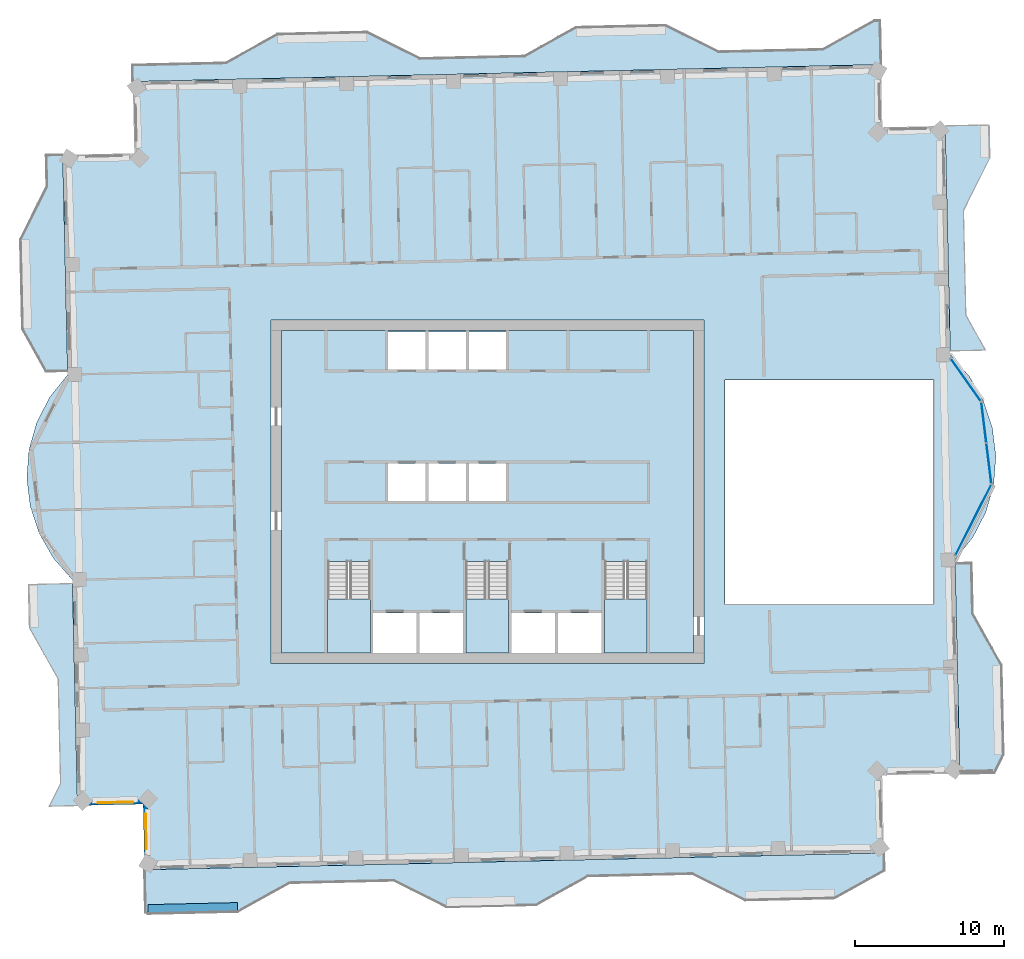
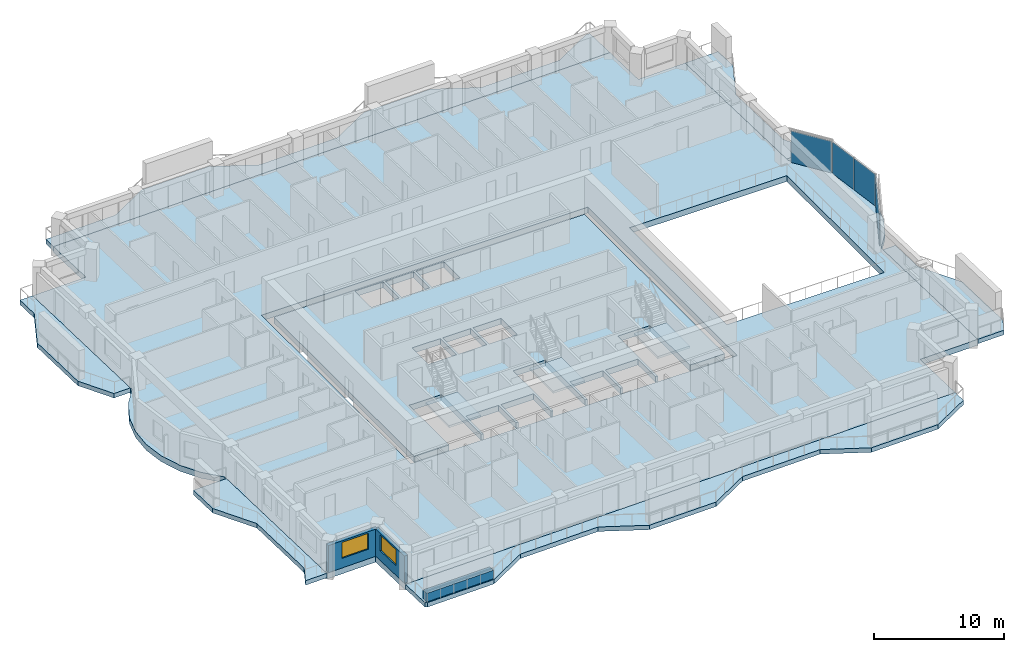
# One storey, part 7 of 19: 11 slabs, 4 plates, 3 walls, 2 windows, 2 openings, 6 elements without a shape of their own.
"""IFC4 building model written with IfcOpenShell, lengths in metres."""

import ifcopenshell
import ifcopenshell.guid

model = None  # the IFC model being written
_history = None  # IfcOwnerHistory: only IFC2X3 demands one
_inside = {}  # id of a spatial element -> (the spatial element, [elements in it])
_under = {}  # id of a project, library or spatial element -> (it, [spatial elements below it])
_declared = {}  # id of a project -> (the project, [libraries it declares])
_typed = {}  # id of a type object -> (the type object, [elements of that type])
_made_of = {}  # id of a material, layer set ... -> (it, [elements and type objects made of it])


def new_model(schema):
    """Start an empty IFC model of exactly this schema.

    Asked for "IFC4X3", IfcOpenShell would pick the latest addendum, in which some entities
    have other attributes; the version numbers below select the first issue.
    IFC2X3 requires an IfcOwnerHistory on every rooted entity: one is made here for all.
    """
    global model, _history
    if schema == "IFC4X3":
        model = ifcopenshell.file(schema_version=(4, 3, 0, 0))
    else:
        model = ifcopenshell.file(schema=schema)
    _inside.clear()
    _under.clear()
    _declared.clear()
    _typed.clear()
    _made_of.clear()
    _history = None
    if model.schema == "IFC2X3":
        org = make("IfcOrganization", Name="unknown")
        user = make(
            "IfcPersonAndOrganization",
            ThePerson=make("IfcPerson", FamilyName="unknown"),
            TheOrganization=org,
        )
        app = make(
            "IfcApplication",
            ApplicationDeveloper=org,
            Version="unknown",
            ApplicationFullName="unknown",
            ApplicationIdentifier="unknown",
        )
        _history = make(
            "IfcOwnerHistory",
            OwningUser=user,
            OwningApplication=app,
            ChangeAction="ADDED",
            CreationDate=0,
        )
    return model


def make(cls, **values):
    """One entity of the class cls with the attributes given. An attribute that is None is left unset."""
    return model.create_entity(
        cls, **{name: value for name, value in values.items() if value is not None}
    )


def rooted(cls, **values):
    """An entity with a GlobalId (a new one), such as an element, a storey or a relation."""
    return make(cls, GlobalId=ifcopenshell.guid.new(), OwnerHistory=_history, **values)


def si_unit(unit_type, name, prefix=None):
    """IfcSIUnit, for example si_unit("LENGTHUNIT", "METRE", prefix="MILLI")."""
    return make("IfcSIUnit", UnitType=unit_type, Prefix=prefix, Name=name)


def assignment(units):
    """IfcUnitAssignment: the units of a project."""
    return None if units is None else make("IfcUnitAssignment", Units=units)


def point(xyz):
    """IfcCartesianPoint."""
    return None if xyz is None else make("IfcCartesianPoint", Coordinates=xyz)


def direction(xyz):
    """IfcDirection."""
    return None if xyz is None else make("IfcDirection", DirectionRatios=xyz)


def frame(location, z_axis=None, x_axis=None):
    """IfcAxis2Placement3D, a coordinate frame: its origin and axes. An axis left out is left unset."""
    return make(
        "IfcAxis2Placement3D",
        Location=point(location),
        Axis=direction(z_axis),
        RefDirection=direction(x_axis),
    )


def frame_2d(location, x_axis=None):
    """IfcAxis2Placement2D, a coordinate frame in the plane: its origin and x axis."""
    return make(
        "IfcAxis2Placement2D", Location=point(location), RefDirection=direction(x_axis)
    )


def origin():
    """The frame at (0, 0, 0) with its axes left unset."""
    return frame((0.0, 0.0, 0.0))


def origin_2d():
    """The frame at (0, 0) in the plane with its x axis left unset."""
    return frame_2d((0.0, 0.0))


def place(relative_to, where):
    """IfcLocalPlacement: puts the frame where relative to a parent placement (None: the world)."""
    return make(
        "IfcLocalPlacement", PlacementRelTo=relative_to, RelativePlacement=where
    )


def context(
    kind, dimensions, precision=None, world=None, true_north=None, identifier=None
):
    """IfcGeometricRepresentationContext, for example the 3D "Model" context."""
    return make(
        "IfcGeometricRepresentationContext",
        ContextIdentifier=identifier,
        ContextType=kind,
        CoordinateSpaceDimension=dimensions,
        Precision=precision,
        WorldCoordinateSystem=world,
        TrueNorth=true_north,
    )


def subcontext(parent, identifier, kind, view, scale=None):
    """IfcGeometricRepresentationSubContext, for example "Body" below "Model"."""
    return make(
        "IfcGeometricRepresentationSubContext",
        ContextIdentifier=identifier,
        ContextType=kind,
        ParentContext=parent,
        TargetScale=scale,
        TargetView=view,
    )


def project(units=None, contexts=None):
    """IfcProject with its units and contexts."""
    return rooted(
        "IfcProject",
        Name="project",
        RepresentationContexts=contexts,
        UnitsInContext=assignment(units),
    )


def spatial(cls, under=None, at=None, **own):
    """A site, building, storey or space (cls), placed at a placement, below another one or the project."""
    s = rooted(cls, ObjectPlacement=at, **own)
    if under is not None:
        _under.setdefault(under.id(), (under, []))[1].append(s)
    return s


def polyline(points):
    """IfcPolyline through the points."""
    return make("IfcPolyline", Points=[point(p) for p in points])


def profile(cls, at=None, kind="AREA", **sizes):
    """A parametric profile (cls). Its sizes go by their IFC names, for example OverallWidth=200.0."""
    return make(cls, ProfileType=kind, Position=at, **sizes)


def rectangle(**sizes):
    """IfcRectangleProfileDef."""
    return profile("IfcRectangleProfileDef", **sizes)


def outline(outer, holes=None, kind="AREA"):
    """IfcArbitraryClosedProfileDef: a profile drawn as a closed curve; with holes, ...WithVoids."""
    if holes is None:
        return make("IfcArbitraryClosedProfileDef", ProfileType=kind, OuterCurve=outer)
    return make(
        "IfcArbitraryProfileDefWithVoids",
        ProfileType=kind,
        OuterCurve=outer,
        InnerCurves=holes,
    )


def extrude(swept, where, along, depth):
    """IfcExtrudedAreaSolid: the profile swept, set in the frame where, extruded along a direction by depth."""
    return make(
        "IfcExtrudedAreaSolid",
        SweptArea=swept,
        Position=where,
        ExtrudedDirection=direction(along),
        Depth=depth,
    )


def shape(context_of_items, identifier, shape_type, items):
    """IfcShapeRepresentation: the items that make up one representation, for example the "Body"."""
    return make(
        "IfcShapeRepresentation",
        ContextOfItems=context_of_items,
        RepresentationIdentifier=identifier,
        RepresentationType=shape_type,
        Items=items,
    )


def material(Name=None, Category=None):
    """IfcMaterial."""
    return make("IfcMaterial", Name=Name, Category=Category)


def layer(
    of_material, thickness, ventilated=None, Name=None, Category=None, Priority=None
):
    """IfcMaterialLayer: one layer of a wall or slab, of a material (None: an air gap)."""
    return make(
        "IfcMaterialLayer",
        Material=of_material,
        LayerThickness=thickness,
        IsVentilated=ventilated,
        Name=Name,
        Category=Category,
        Priority=Priority,
    )


def layer_set(layers, Name=None):
    """IfcMaterialLayerSet."""
    return make("IfcMaterialLayerSet", MaterialLayers=layers, LayerSetName=Name)


def made_of(thing, what):
    """Note that an element or type object is made of a material, layer set ...; save() writes the relation."""
    if what is not None:
        _made_of.setdefault(what.id(), (what, []))[1].append(thing)
    return thing


def type_object(cls, material=None, **own):
    """A type object (cls), such as IfcWallType, which elements share."""
    return made_of(rooted(cls, **own), material)


def element(
    cls,
    number,
    at=None,
    inside=None,
    cuts=None,
    type_object=None,
    material=None,
    context=None,
    identifier="Body",
    shape_type=None,
    held_by="IfcProductDefinitionShape",
    body=None,
    shapes=None,
    **own,
):
    """One element of the class cls, such as IfcWall. Its Tag is "e" and its number.

    at: its placement. inside: the storey or other place that contains it. cuts: it is an
    opening in that element (IfcRelVoidsElement). A single representation is given by context,
    identifier, shape_type and body (its items); several are given by shapes. held_by: the class
    of the entity that holds the representations. save() writes the other relations.
    """
    e = rooted(cls, Tag="e%d" % number, ObjectPlacement=at, **own)
    if body is not None:
        shapes = [shape(context, identifier, shape_type, body)]
    if shapes is not None:
        e.Representation = make(held_by, Representations=shapes)
    if inside is not None:
        _inside.setdefault(inside.id(), (inside, []))[1].append(e)
    if cuts is not None:
        rooted(
            "IfcRelVoidsElement", RelatingBuildingElement=cuts, RelatedOpeningElement=e
        )
    if type_object is not None:
        _typed.setdefault(type_object.id(), (type_object, []))[1].append(e)
    return made_of(e, material)


def fill(opening, filler):
    """IfcRelFillsElement: the door or window that sits in an opening."""
    return rooted(
        "IfcRelFillsElement",
        RelatingOpeningElement=opening,
        RelatedBuildingElement=filler,
    )


def aggregate(whole, parts):
    """IfcRelAggregates: a whole, such as a stair, and the parts it consists of."""
    return rooted("IfcRelAggregates", RelatingObject=whole, RelatedObjects=parts)


def save(model, path):
    """Write the relations noted so far, then the file.

    IfcRelAggregates (storeys below a building ...), IfcRelContainedInSpatialStructure (elements
    in a storey), IfcRelDefinesByType, IfcRelAssociatesMaterial and IfcRelDeclares: one each for
    every whole, place, type object, material and project.
    """
    for whole, parts in _under.values():
        aggregate(whole, parts)
    for where, things in _inside.values():
        rooted(
            "IfcRelContainedInSpatialStructure",
            RelatedElements=things,
            RelatingStructure=where,
        )
    for kind, things in _typed.values():
        rooted("IfcRelDefinesByType", RelatedObjects=things, RelatingType=kind)
    for what, things in _made_of.values():
        rooted("IfcRelAssociatesMaterial", RelatedObjects=things, RelatingMaterial=what)
    for by, libraries in _declared.values():
        rooted("IfcRelDeclares", RelatingContext=by, RelatedDefinitions=libraries)
    model.write(path)


model = new_model("IFC4")

# Units and contexts
model_context = context("Model", 3, precision=1e-05, world=origin(), true_north=direction((0.0, 1.0)))
body_context = subcontext(model_context, "Body", "Model", "MODEL_VIEW")
ifc_project = project(units=[si_unit("LENGTHUNIT", "METRE"), si_unit("AREAUNIT", "SQUARE_METRE"), si_unit("VOLUMEUNIT", "CUBIC_METRE"), si_unit("PLANEANGLEUNIT", "RADIAN"), si_unit("MASSUNIT", "GRAM", prefix="KILO")], contexts=[model_context])

# Site, building, storey
site_placement = place(None, origin())
site = spatial("IfcSite", under=ifc_project, at=site_placement, CompositionType="ELEMENT")
building_placement = place(site_placement, origin())
building = spatial("IfcBuilding", under=site, at=building_placement, Name="Mangrove Gate Tower", CompositionType="ELEMENT")
storey_placement = place(building_placement, frame((0.0, 0.0, 297.89990234375)))
storey = spatial("IfcBuildingStorey", under=building, at=storey_placement, Name="L76", CompositionType="ELEMENT", Elevation=297.89990234375)

# Curtain wall, plate
ifc_material_1 = material(Name="Aluminium and glass curtain wall", Category="aluminium")
curtain_wall_type = type_object("IfcCurtainWallType", Name="Atrium garden-court glazing wall", PredefinedType="NOTDEFINED", material=ifc_material_1)
curtain_wall_1_placement = place(storey_placement, origin())
curtain_wall_1 = element("IfcCurtainWall", 1, at=curtain_wall_1_placement, inside=storey, type_object=curtain_wall_type, Name="Atrium garden-court glazing E1f1", PredefinedType="NOTDEFINED")
ifc_material_2 = material(Name="Laminated low-e glass", Category="glass")
ifc_layer_1 = layer(ifc_material_2, 0.031982421875)
ifc_layer_set_1 = layer_set([ifc_layer_1], Name="Atrium garden-court glazing panel 32")
plate_type = type_object("IfcPlateType", Name="Atrium garden-court glazing panel 32", PredefinedType="CURTAIN_PANEL", material=ifc_layer_set_1)
plate_1_placement = place(storey_placement, frame((32.542236328125, -1.90087890625, 0.0), z_axis=(0.0, 0.0, 1.0), x_axis=(0.452617386511, 0.891704828644, 0.0)))
plate_1 = element("IfcPlate", 2, at=plate_1_placement, type_object=plate_type, Name="CWA panel 1.1", PredefinedType="CURTAIN_PANEL", context=body_context, shape_type="SweptSolid", body=[
    extrude(rectangle(XDim=5.258544921875, YDim=0.031982421875, at=origin_2d()), origin(), (0.0, 0.0, 1.0), 2.97998046875),
])
aggregate(curtain_wall_1, [plate_1])

# Curtain wall, plates
curtain_wall_2_placement = place(storey_placement, origin())
curtain_wall_2 = element("IfcCurtainWall", 3, at=curtain_wall_2_placement, inside=storey, type_object=curtain_wall_type, Name="Atrium garden-court glazing E1f2", PredefinedType="NOTDEFINED")
plate_2_placement = place(storey_placement, frame((33.591552734375, 1.90625, 0.0), z_axis=(0.0, 0.0, 1.0), x_axis=(-0.122172285885, 0.992508908051, 0.0)))
plate_2 = element("IfcPlate", 4, at=plate_2_placement, type_object=plate_type, Name="CWA panel 1.1", PredefinedType="CURTAIN_PANEL", context=body_context, shape_type="SweptSolid", body=[
    extrude(rectangle(XDim=2.681640625, YDim=0.031982421875, at=origin_2d()), origin(), (0.0, 0.0, 1.0), 2.97998046875),
])
plate_3_placement = place(storey_placement, frame((33.25537109375, 4.637451171875, 0.0), z_axis=(0.0, 0.0, 1.0), x_axis=(-0.122172285885, 0.992508908051, 0.0)))
plate_3 = element("IfcPlate", 5, at=plate_3_placement, type_object=plate_type, Name="CWA panel 2.1", PredefinedType="CURTAIN_PANEL", context=body_context, shape_type="SweptSolid", body=[
    extrude(rectangle(XDim=2.681640625, YDim=0.031982421875, at=origin_2d()), origin(), (0.0, 0.0, 1.0), 2.97998046875),
])
aggregate(curtain_wall_2, [plate_2, plate_3])

# Curtain wall, plate
curtain_wall_3_placement = place(storey_placement, origin())
curtain_wall_3 = element("IfcCurtainWall", 6, at=curtain_wall_3_placement, inside=storey, type_object=curtain_wall_type, Name="Atrium garden-court glazing E1f3", PredefinedType="NOTDEFINED")
plate_4_placement = place(storey_placement, frame((32.05126953125, 7.493896484375, 0.0), z_axis=(0.0, 0.0, 1.0), x_axis=(-0.578135022674, 0.815941110349, 0.0)))
plate_4 = element("IfcPlate", 7, at=plate_4_placement, type_object=plate_type, Name="CWA panel 1.1", PredefinedType="CURTAIN_PANEL", context=body_context, shape_type="SweptSolid", body=[
    extrude(rectangle(XDim=3.42919921875, YDim=0.031982421875, at=origin_2d()), origin(), (0.0, 0.0, 1.0), 2.97998046875),
])
aggregate(curtain_wall_3, [plate_4])

# Slabs
ifc_material_3 = material(Name="Porcelain tile")
ifc_layer_2 = layer(ifc_material_3, 0.02001953125, Name="Tile finish")
ifc_material_4 = material(Name="Cement sand screed")
ifc_layer_3 = layer(ifc_material_4, 0.0400390625, Name="Screed laid to falls")
ifc_material_5 = material(Name="Bituminous waterproofing membrane")
ifc_layer_4 = layer(ifc_material_5, 0.00390625, Name="Waterproofing")
ifc_material_6 = material(Name="Concrete C40/50", Category="concrete")
ifc_layer_5 = layer(ifc_material_6, 0.340087890625, Name="Balcony structural slab")
ifc_material_7 = material(Name="Limestone", Category="masonry")
ifc_layer_6 = layer(ifc_material_7, 0.01611328125, Name="Soffit lining")
ifc_layer_set_2 = layer_set([ifc_layer_2, ifc_layer_3, ifc_layer_4, ifc_layer_5, ifc_layer_6], Name="Balcony slab 420 C40/50")
slab_type_1 = type_object("IfcSlabType", Name="Balcony slab 420 C40/50", PredefinedType="FLOOR", material=ifc_layer_set_2)
slab_1_placement = place(storey_placement, frame((0.0, 0.0, -0.419921875)))
element("IfcSlab", 8, at=slab_1_placement, inside=storey, type_object=slab_type_1, Name="BALCONY L76 E0", PredefinedType="FLOOR", context=body_context, shape_type="SweptSolid", body=[
    extrude(outline(polyline([(33.99609375, -18.820068359375), (34.60302734375, -17.60595703125), (34.467041015625, -11.60791015625), (32.5380859375, -8.15087890625), (32.4619140625, -4.777099609375), (31.322021484375, -4.802978515625), (31.39892578125, -8.176025390625), (31.47802734375, -11.676025390625), (31.614013671875, -17.674072265625), (31.64111328125, -18.8740234375), (33.99609375, -18.820068359375)])), origin(), (0.0, 0.0, 1.0), 0.419921875),
])
slab_2_placement = place(storey_placement, frame((0.0, 0.0, -0.419921875)))
element("IfcSlab", 9, at=slab_2_placement, inside=storey, type_object=slab_type_1, Name="BALCONY L76 E1", PredefinedType="FLOOR", context=body_context, shape_type="SweptSolid", body=[
    extrude(outline(polyline([(33.39306640625, 9.4990234375), (32.0849609375, 11.843994140625), (31.926025390625, 18.842041015625), (33.696044921875, 22.384033203125), (33.64599609375, 24.5830078125), (30.656982421875, 24.514892578125), (30.70703125, 22.31591796875), (30.785888671875, 18.81689453125), (30.945068359375, 11.818115234375), (30.9990234375, 9.444091796875), (33.39306640625, 9.4990234375)])), origin(), (0.0, 0.0, 1.0), 0.419921875),
])
slab_3_placement = place(storey_placement, frame((0.0, 0.0, -0.419921875)))
element("IfcSlab", 10, at=slab_3_placement, inside=storey, type_object=slab_type_1, Name="BALCONY L76 N0", PredefinedType="FLOOR", context=body_context, shape_type="SweptSolid", body=[
    extrude(outline(polyline([(26.294921875, 31.60791015625), (25.927001953125, 31.60009765625), (22.469970703125, 29.6708984375), (15.470947265625, 29.511962890625), (11.929931640625, 31.281982421875), (5.931884765625, 31.14599609375), (2.47509765625, 29.217041015625), (-4.52294921875, 29.05908203125), (-8.06396484375, 30.827880859375), (-14.06298828125, 30.69189453125), (-17.52001953125, 28.762939453125), (-23.785888671875, 28.62109375), (-23.760986328125, 27.48095703125), (-4.498046875, 27.91796875), (6.0, 28.156982421875), (26.363037109375, 28.618896484375), (26.294921875, 31.60791015625)])), origin(), (0.0, 0.0, 1.0), 0.419921875),
])
slab_4_placement = place(storey_placement, frame((0.0, 0.0, -0.419921875)))
element("IfcSlab", 11, at=slab_4_placement, inside=storey, type_object=slab_type_1, Name="BALCONY L76 W0", PredefinedType="FLOOR", context=body_context, shape_type="SweptSolid", body=[
    extrude(outline(polyline([(-29.590087890625, 22.548095703125), (-29.5419921875, 20.447998046875), (-31.31298828125, 16.906982421875), (-31.176025390625, 10.908935546875), (-29.592041015625, 8.069091796875), (-28.1220703125, 8.10302734375), (-28.18701171875, 10.97705078125), (-28.322998046875, 16.97509765625), (-28.403076171875, 20.47412109375), (-28.449951171875, 22.573974609375), (-29.590087890625, 22.548095703125)])), origin(), (0.0, 0.0, 1.0), 0.419921875),
])
slab_5_placement = place(storey_placement, frame((0.0, 0.0, -0.419921875)))
element("IfcSlab", 12, at=slab_5_placement, inside=storey, type_object=slab_type_1, Name="BALCONY L76 W1", PredefinedType="FLOOR", context=body_context, shape_type="SweptSolid", body=[
    extrude(outline(polyline([(-30.7880859375, -6.2119140625), (-30.722900390625, -9.0859375), (-28.7939453125, -12.54296875), (-28.635009765625, -19.541015625), (-29.39404296875, -21.05908203125), (-27.4609375, -21.014892578125), (-27.4951171875, -19.51611328125), (-27.654052734375, -12.51708984375), (-27.73388671875, -9.01806640625), (-27.799072265625, -6.14404296875), (-30.7880859375, -6.2119140625)])), origin(), (0.0, 0.0, 1.0), 0.419921875),
])
slab_6_placement = place(storey_placement, frame((0.0, 0.0, -0.419921875)))
element("IfcSlab", 13, at=slab_6_placement, inside=storey, type_object=slab_type_1, Name="BALCONY L76 S0", PredefinedType="FLOOR", context=body_context, shape_type="SweptSolid", body=[
    extrude(outline(polyline([(-22.89697265625, -28.215087890625), (-22.72705078125, -28.300048828125), (-16.72802734375, -28.1630859375), (-13.27099609375, -26.235107421875), (-6.27294921875, -26.075927734375), (-2.73193359375, -27.845947265625), (3.26708984375, -27.7099609375), (6.72412109375, -25.781005859375), (13.721923828125, -25.623046875), (17.262939453125, -27.39208984375), (23.260986328125, -27.256103515625), (26.587890625, -25.39990234375), (26.56103515625, -24.18994140625), (1.799072265625, -24.751953125), (-2.800048828125, -24.85693359375), (-22.962890625, -25.31396484375), (-22.89697265625, -28.215087890625)])), origin(), (0.0, 0.0, 1.0), 0.419921875),
])
ifc_material_8 = material(Name="Concrete C40/50", Category="concrete")
ifc_layer_7 = layer(ifc_material_8, 0.550048828125)
ifc_layer_set_3 = layer_set([ifc_layer_7], Name="Core floor slab 550 C40/50")
slab_type_2 = type_object("IfcSlabType", Name="Core floor slab 550 C40/50", PredefinedType="FLOOR", material=ifc_layer_set_3)
slab_7_placement = place(storey_placement, frame((0.0, 0.0, -0.5498046875)))
element("IfcSlab", 14, at=slab_7_placement, inside=storey, type_object=slab_type_2, Name="SLAB-L76-CORE-1", PredefinedType="FLOOR", context=body_context, shape_type="SweptSolid", body=[
    extrude(outline(polyline([(-13.800048828125, -10.800048828125), (-13.800048828125, 10.800048828125), (13.800048828125, 10.800048828125), (13.800048828125, -10.800048828125), (10.699951171875, -10.800048828125), (10.699951171875, -4.653076171875), (7.85009765625, -4.653076171875), (7.85009765625, -10.800048828125), (7.64990234375, -10.800048828125), (7.64990234375, -8.10009765625), (4.72509765625, -8.10009765625), (4.72509765625, -10.800048828125), (4.52490234375, -10.800048828125), (4.52490234375, -8.10009765625), (1.60009765625, -8.10009765625), (1.60009765625, -10.800048828125), (1.39990234375, -10.800048828125), (1.39990234375, -4.653076171875), (-1.449951171875, -4.653076171875), (-1.449951171875, -10.800048828125), (-1.64990234375, -10.800048828125), (-1.64990234375, -8.10009765625), (-4.550048828125, -8.10009765625), (-4.550048828125, -10.800048828125), (-4.75, -10.800048828125), (-4.75, -8.10009765625), (-7.64990234375, -8.10009765625), (-7.64990234375, -10.800048828125), (-7.85009765625, -10.800048828125), (-7.85009765625, -4.653076171875), (-10.699951171875, -4.653076171875), (-10.699951171875, -10.800048828125), (-13.800048828125, -10.800048828125)]), holes=[polyline([(-4.14990234375, 1.89990234375), (-6.64990234375, 1.89990234375), (-6.64990234375, -0.60009765625), (-4.14990234375, -0.60009765625), (-4.14990234375, 1.89990234375)]), polyline([(-1.449951171875, -0.60009765625), (-1.449951171875, 1.89990234375), (-3.949951171875, 1.89990234375), (-3.949951171875, -0.60009765625), (-1.449951171875, -0.60009765625)]), polyline([(-4.14990234375, 8.199951171875), (-4.14990234375, 10.699951171875), (-6.64990234375, 10.699951171875), (-6.64990234375, 8.199951171875), (-4.14990234375, 8.199951171875)]), polyline([(-1.449951171875, 10.699951171875), (-3.949951171875, 10.699951171875), (-3.949951171875, 8.199951171875), (-1.449951171875, 8.199951171875), (-1.449951171875, 10.699951171875)]), polyline([(1.25, -0.60009765625), (1.25, 1.89990234375), (-1.25, 1.89990234375), (-1.25, -0.60009765625), (1.25, -0.60009765625)]), polyline([(1.25, 8.199951171875), (1.25, 10.699951171875), (-1.25, 10.699951171875), (-1.25, 8.199951171875), (1.25, 8.199951171875)])]), origin(), (0.0, 0.0, 1.0), 0.5498046875),
])

# Stair, slab
ifc_material_9 = material(Name="Concrete C40/50", Category="concrete")
stair_type = type_object("IfcStairType", Name="Core stair 1350", PredefinedType="HALF_TURN_STAIR", material=ifc_material_9)
stair_1_placement = place(storey_placement, origin())
stair_1 = element("IfcStair", 15, at=stair_1_placement, inside=storey, type_object=stair_type, Name="L76 Stair 1", PredefinedType="HALF_TURN_STAIR")
ifc_material_10 = material(Name="Concrete C40/50", Category="concrete")
ifc_layer_8 = layer(ifc_material_10, 0.199951171875)
ifc_layer_set_4 = layer_set([ifc_layer_8], Name="Core stair landing 200")
slab_type_3 = type_object("IfcSlabType", Name="Core stair landing 200", PredefinedType="LANDING", material=ifc_layer_set_4)
slab_8_placement = place(storey_placement, frame((0.0, 0.0, 1.60009765625)))
slab_8 = element("IfcSlab", 16, at=slab_8_placement, type_object=slab_type_3, Name="ST1 landing 1", PredefinedType="LANDING", context=body_context, shape_type="SweptSolid", body=[
    extrude(outline(polyline([(-10.699951171875, -7.169921875), (-10.699951171875, -10.800048828125), (-7.85009765625, -10.800048828125), (-7.85009765625, -7.169921875), (-10.699951171875, -7.169921875)])), origin(), (0.0, 0.0, 1.0), 0.199951171875),
])
aggregate(stair_1, [slab_8])

stair_2_placement = place(storey_placement, origin())
stair_2 = element("IfcStair", 17, at=stair_2_placement, inside=storey, type_object=stair_type, Name="L76 Stair 2", PredefinedType="HALF_TURN_STAIR")
slab_9_placement = place(storey_placement, frame((0.0, 0.0, 1.60009765625)))
slab_9 = element("IfcSlab", 18, at=slab_9_placement, type_object=slab_type_3, Name="ST2 landing 1", PredefinedType="LANDING", context=body_context, shape_type="SweptSolid", body=[
    extrude(outline(polyline([(-1.449951171875, -7.169921875), (-1.449951171875, -10.800048828125), (1.39990234375, -10.800048828125), (1.39990234375, -7.169921875), (-1.449951171875, -7.169921875)])), origin(), (0.0, 0.0, 1.0), 0.199951171875),
])
aggregate(stair_2, [slab_9])

stair_3_placement = place(storey_placement, origin())
stair_3 = element("IfcStair", 19, at=stair_3_placement, inside=storey, type_object=stair_type, Name="L76 Stair 3", PredefinedType="HALF_TURN_STAIR")
slab_10_placement = place(storey_placement, frame((0.0, 0.0, 1.60009765625)))
slab_10 = element("IfcSlab", 20, at=slab_10_placement, type_object=slab_type_3, Name="ST3 landing 1", PredefinedType="LANDING", context=body_context, shape_type="SweptSolid", body=[
    extrude(outline(polyline([(7.85009765625, -7.169921875), (7.85009765625, -10.800048828125), (10.699951171875, -10.800048828125), (10.699951171875, -7.169921875), (7.85009765625, -7.169921875)])), origin(), (0.0, 0.0, 1.0), 0.199951171875),
])
aggregate(stair_3, [slab_10])

# Slab
ifc_material_11 = material(Name="Concrete C40/50", Category="concrete")
ifc_layer_9 = layer(ifc_material_11, 0.550048828125)
ifc_layer_set_5 = layer_set([ifc_layer_9], Name="Floor slab 550 C40/50")
slab_type_4 = type_object("IfcSlabType", Name="Floor slab 550 C40/50", PredefinedType="FLOOR", material=ifc_layer_set_5)
slab_11_placement = place(storey_placement, frame((0.0, 0.0, -0.5498046875)))
element("IfcSlab", 21, at=slab_11_placement, inside=storey, type_object=slab_type_4, Name="Floor slab L76", PredefinedType="FLOOR", context=body_context, shape_type="SweptSolid", body=[
    extrude(outline(polyline([(-22.962646484375, -25.314208984375), (26.560791015625, -24.1904296875), (26.442626953125, -18.99169921875), (31.641357421875, -18.873779296875), (31.31640625, -4.552734375), (32.512939453125, -3.060302734375), (33.389892578125, -1.360595703125), (33.912353515625, 0.4794921875), (34.0595703125, 2.38671875), (33.825927734375, 4.28515625), (33.220458984375, 6.099365234375), (32.267333984375, 7.7578125), (31.00439453125, 9.1943359375), (30.65673828125, 24.51513671875), (26.457763671875, 24.419921875), (26.362548828125, 28.61865234375), (-23.760498046875, 27.481201171875), (-23.651611328125, 22.6826171875), (-28.450439453125, 22.57373046875), (-28.116455078125, 7.852783203125), (-29.31298828125, 6.3603515625), (-30.18994140625, 4.660400390625), (-30.71240234375, 2.820556640625), (-30.859619140625, 0.913330078125), (-30.6259765625, -0.985107421875), (-30.0205078125, -2.799560546875), (-29.0673828125, -4.457763671875), (-27.804443359375, -5.894287109375), (-27.461181640625, -21.01513671875), (-23.0625, -20.915283203125), (-22.962646484375, -25.314208984375)]), holes=[polyline([(15.89990234375, 7.5), (29.889892578125, 7.5), (29.889892578125, -7.5), (15.89990234375, -7.5), (15.89990234375, 7.5)]), polyline([(-14.5, -11.5), (-14.5, 11.5), (14.5, 11.5), (14.5, -11.5), (-14.5, -11.5)])]), origin(), (0.0, 0.0, 1.0), 0.5498046875),
])

# Wall, opening, window
ifc_layer_10 = layer(ifc_material_7, 0.0400390625, Name="Limestone cladding")
ifc_material_12 = material(Name="Ventilated air gap")
ifc_layer_11 = layer(ifc_material_12, 0.0400390625, Name="Ventilated cavity")
ifc_material_13 = material(Name="Mineral wool insulation")
ifc_layer_12 = layer(ifc_material_13, 0.06005859375, Name="Insulation")
ifc_material_14 = material(Name="Breather membrane")
ifc_layer_13 = layer(ifc_material_14, 0.001953125, Name="Breather membrane")
ifc_material_15 = material(Name="Concrete C20/25 blockwork", Category="masonry")
ifc_layer_14 = layer(ifc_material_15, 0.14990234375, Name="Blockwork backing wall")
ifc_material_16 = material(Name="Gypsum plaster")
ifc_layer_15 = layer(ifc_material_16, 0.008056640625, Name="Internal plaster")
ifc_layer_set_6 = layer_set([ifc_layer_10, ifc_layer_11, ifc_layer_12, ifc_layer_13, ifc_layer_14, ifc_layer_15], Name="External wall 300 limestone cladding")
wall_type_1 = type_object("IfcWallType", Name="External wall 300 limestone cladding", PredefinedType="SOLIDWALL", material=ifc_layer_set_6)
wall_1_placement = place(storey_placement, frame((-27.31494140625, -20.862060546875, 0.0), z_axis=(0.0, 0.0, 1.0), x_axis=(0.999741204967, 0.022749133868, 0.0)))
wall_1 = element("IfcWall", 22, at=wall_1_placement, inside=storey, type_object=wall_type_1, Name="WALL-L76-S11", PredefinedType="SOLIDWALL", context=body_context, shape_type="SweptSolid", body=[
    extrude(rectangle(XDim=4.400146484375, YDim=0.300048828125, at=frame_2d((2.2001953125, 0.0))), origin(), (0.0, 0.0, 1.0), 2.550048828125),
])
opening_1_placement = place(wall_1_placement, frame((1.196044921875, 0.0, 0.89990234375)))
opening_1 = element("IfcOpeningElement", 23, at=opening_1_placement, cuts=wall_1, Name="Opening W2", PredefinedType="OPENING", context=body_context, shape_type="SweptSolid", body=[
    extrude(rectangle(XDim=2.39990234375, YDim=1.5, at=frame_2d((1.199951171875, 0.75))), frame((0.0, 0.159912109375, 0.0), z_axis=(0.0, -1.0, 0.0), x_axis=(1.0, 0.0, 0.0)), (0.0, 0.0, 1.0), 0.320068359375),
])
ifc_material_17 = material(Name="Aluminium frame with double-glazed low-e glass", Category="aluminium")
window_type = type_object("IfcWindowType", Name="Corner room window 2400x1500", PartitioningType="DOUBLE_PANEL_VERTICAL", PredefinedType="WINDOW", material=ifc_material_17)
window_1_placement = place(opening_1_placement, origin())
window_1 = element("IfcWindow", 24, at=window_1_placement, inside=storey, type_object=window_type, Name="WIN-L76-S11-1", OverallHeight=1.5, OverallWidth=2.39990234375, PartitioningType="DOUBLE_PANEL_VERTICAL", PredefinedType="WINDOW", context=body_context, shape_type="SweptSolid", body=[
    extrude(rectangle(XDim=2.39990234375, YDim=1.5, at=frame_2d((1.199951171875, 0.75))), frame((0.0, 0.030029296875, 0.0), z_axis=(0.0, -1.0, 0.0), x_axis=(1.0, 0.0, 0.0)), (0.0, 0.0, 1.0), 0.06005859375),
])
fill(opening_1, window_1)

wall_2_placement = place(storey_placement, frame((-22.916015625, -20.761962890625, 0.0), z_axis=(0.0, 0.0, 1.0), x_axis=(0.022749133868, -0.999741204967, 0.0)))
wall_2 = element("IfcWall", 25, at=wall_2_placement, inside=storey, type_object=wall_type_1, Name="WALL-L76-W12", PredefinedType="SOLIDWALL", context=body_context, shape_type="SweptSolid", body=[
    extrude(rectangle(XDim=4.400146484375, YDim=0.300048828125, at=frame_2d((2.2001953125, 0.0))), origin(), (0.0, 0.0, 1.0), 2.550048828125),
])
opening_2_placement = place(wall_2_placement, frame((0.7890625, 0.0, 0.89990234375)))
opening_2 = element("IfcOpeningElement", 26, at=opening_2_placement, cuts=wall_2, Name="Opening W2", PredefinedType="OPENING", context=body_context, shape_type="SweptSolid", body=[
    extrude(rectangle(XDim=2.39990234375, YDim=1.5, at=frame_2d((1.199951171875, 0.75))), frame((0.0, 0.159912109375, 0.0), z_axis=(0.0, -1.0, 0.0), x_axis=(1.0, 0.0, 0.0)), (0.0, 0.0, 1.0), 0.320068359375),
])
window_2_placement = place(opening_2_placement, origin())
window_2 = element("IfcWindow", 27, at=window_2_placement, inside=storey, type_object=window_type, Name="WIN-L76-W12-1", OverallHeight=1.5, OverallWidth=2.39990234375, PartitioningType="DOUBLE_PANEL_VERTICAL", PredefinedType="WINDOW", context=body_context, shape_type="SweptSolid", body=[
    extrude(rectangle(XDim=2.39990234375, YDim=1.5, at=frame_2d((1.199951171875, 0.75))), frame((0.0, 0.030029296875, 0.0), z_axis=(0.0, -1.0, 0.0), x_axis=(1.0, 0.0, 0.0)), (0.0, 0.0, 1.0), 0.06005859375),
])
fill(opening_2, window_2)

# Wall
ifc_material_18 = material(Name="Concrete C32/40", Category="concrete")
ifc_layer_16 = layer(ifc_material_18, 0.199951171875, Name="Planter trough wall")
ifc_layer_17 = layer(ifc_material_5, 0.0048828125, Name="Waterproofing")
ifc_material_19 = material(Name="Drainage board and gravel")
ifc_layer_18 = layer(ifc_material_19, 0.044921875, Name="Drainage layer")
ifc_material_20 = material(Name="Planting soil")
ifc_layer_19 = layer(ifc_material_20, 0.300048828125, Name="Growing medium")
ifc_layer_set_7 = layer_set([ifc_layer_16, ifc_layer_17, ifc_layer_18, ifc_layer_19], Name="Planter wall 550 C32/40")
wall_type_2 = type_object("IfcWallType", Name="Planter wall 550 C32/40", PredefinedType="USERDEFINED", material=ifc_layer_set_7)
wall_3_placement = place(storey_placement, frame((-22.735107421875, -27.925048828125, 0.0), z_axis=(0.0, 0.0, 1.0), x_axis=(0.999743094499, 0.022665943652, 0.0)))
element("IfcWall", 28, at=wall_3_placement, inside=storey, type_object=wall_type_2, Name="PLANTER L76 S0.1", ObjectType="PLANTER", PredefinedType="USERDEFINED", context=body_context, shape_type="SweptSolid", body=[
    extrude(rectangle(XDim=5.99951171875, YDim=0.550048828125, at=frame_2d((2.999755859375, 0.0))), origin(), (0.0, 0.0, 1.0), 0.800048828125),
])

save(model, "model.ifc")
